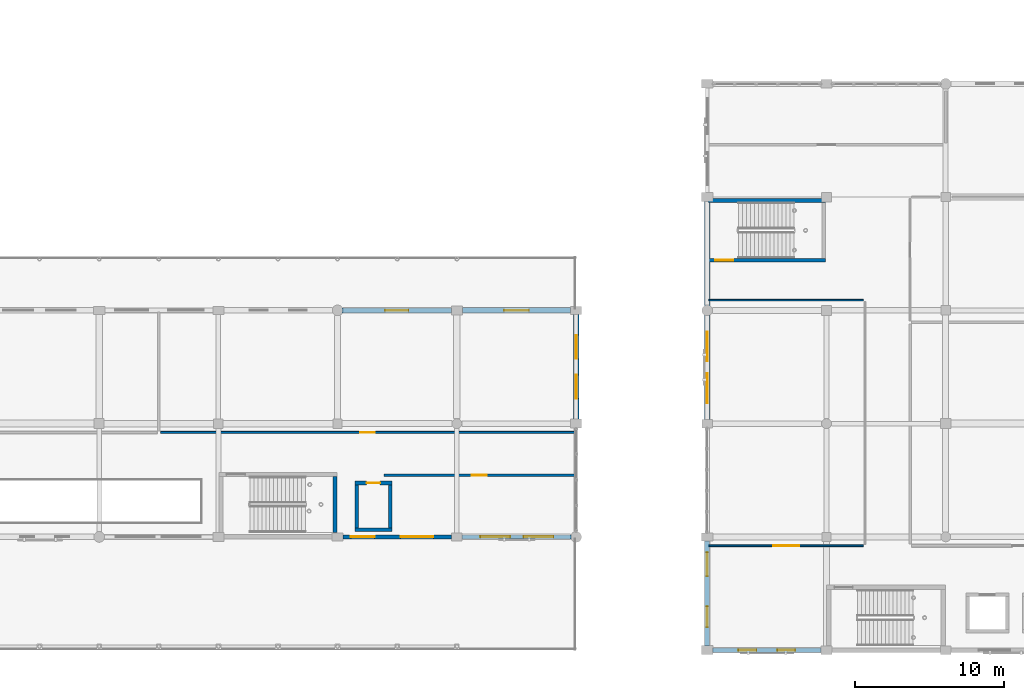
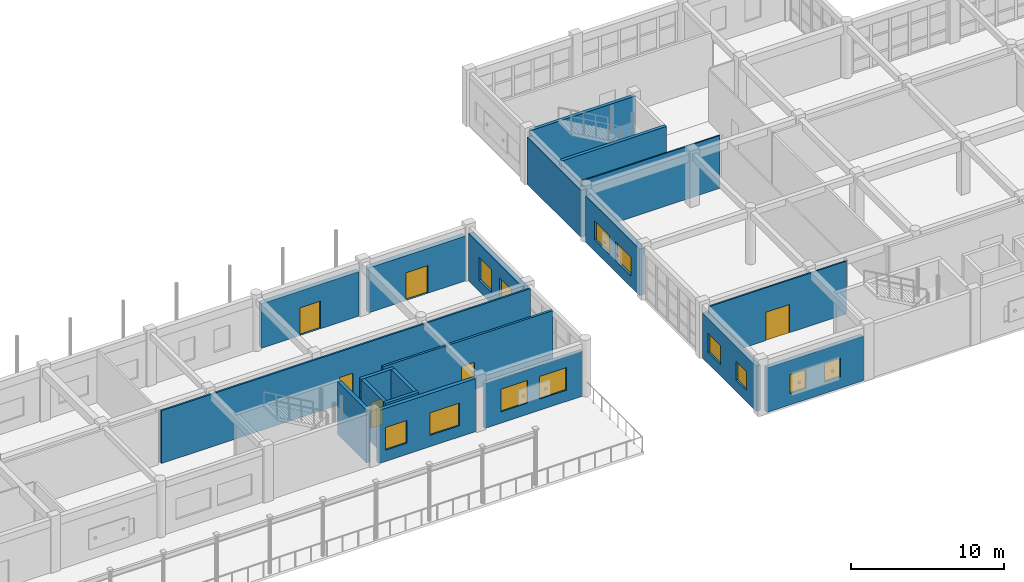
# One storey, part 128 of 160: 20 walls, 12 windows, 7 doors, 19 openings.
"""IFC4 building model written with IfcOpenShell, lengths in metres."""

from ifc_helpers import new_model, si_unit, direction, frame, frame_2d, origin, place, context, subcontext, project, spatial, rectangle, extrude, material, layer, layer_set, type_object, element, fill, save


model = new_model("IFC4")

# Units and contexts
model_context = context("Model", 3, precision=1e-05, world=origin(), true_north=direction((0.0, 1.0)))
body_context = subcontext(model_context, "Body", "Model", "MODEL_VIEW")
ifc_project = project(units=[si_unit("LENGTHUNIT", "METRE"), si_unit("AREAUNIT", "SQUARE_METRE"), si_unit("VOLUMEUNIT", "CUBIC_METRE"), si_unit("PLANEANGLEUNIT", "RADIAN"), si_unit("MASSUNIT", "GRAM", prefix="KILO")], contexts=[model_context])

# Site, building, storey
site_placement = place(None, origin())
site = spatial("IfcSite", under=ifc_project, at=site_placement, CompositionType="ELEMENT")
building_placement = place(site_placement, origin())
building = spatial("IfcBuilding", under=site, at=building_placement, Name="Kharva Crest Polytechnic", CompositionType="ELEMENT")
storey_placement = place(building_placement, frame((0.0, 0.0, 4.5)))
storey = spatial("IfcBuildingStorey", under=building, at=storey_placement, Name="L01", CompositionType="ELEMENT", Elevation=4.5)

# Wall, openings, windows
ifc_material_1 = material(Name="Kiln brick masonry", Category="masonry")
ifc_layer_1 = layer(ifc_material_1, 0.27490234375, Name="Kiln brick masonry")
ifc_layer_set_1 = layer_set([ifc_layer_1], Name="Kiln brick masonry")
wall_type_1 = type_object("IfcWallType", Name="WL-EXT-BRK-275", PredefinedType="SOLIDWALL", material=ifc_layer_set_1)
wall_1_placement = place(storey_placement, frame((104.35498046875, 7.60009765625, 0.0), z_axis=(0.0, 0.0, 1.0), x_axis=(1.0, 0.0, 0.0)))
wall_1 = element("IfcWall", 1, at=wall_1_placement, inside=storey, type_object=wall_type_1, Name="L01 Exterior Brick Wall 137", PredefinedType="SOLIDWALL", context=body_context, shape_type="SweptSolid", body=[
    extrude(rectangle(XDim=7.342529296875, YDim=0.27490234375, at=frame_2d((3.67138671875, 0.0))), origin(), (0.0, 0.0, 1.0), 3.570068359375),
])
opening_1_placement = place(wall_1_placement, frame((1.220947265625, 0.0, 0.89990234375)))
opening_1 = element("IfcOpeningElement", 2, at=opening_1_placement, cuts=wall_1, Name="Opening W04", PredefinedType="OPENING", context=body_context, shape_type="SweptSolid", body=[
    extrude(rectangle(XDim=2.0, YDim=1.800048828125, at=frame_2d((1.0, 0.89990234375))), frame((0.0, 0.1474609375, 0.0), z_axis=(0.0, -1.0, 0.0), x_axis=(1.0, 0.0, 0.0)), (0.0, 0.0, 1.0), 0.294921875),
])
opening_2_placement = place(wall_1_placement, frame((4.1220703125, 0.0, 0.89990234375)))
opening_2 = element("IfcOpeningElement", 3, at=opening_2_placement, cuts=wall_1, Name="Opening W04", PredefinedType="OPENING", context=body_context, shape_type="SweptSolid", body=[
    extrude(rectangle(XDim=2.0, YDim=1.800048828125, at=frame_2d((1.0, 0.89990234375))), frame((0.0, 0.1474609375, 0.0), z_axis=(0.0, -1.0, 0.0), x_axis=(1.0, 0.0, 0.0)), (0.0, 0.0, 1.0), 0.294921875),
])
ifc_material_2 = material(Name="Anodised aluminium", Category="aluminium")
window_type_1 = type_object("IfcWindowType", Name="WIN-ALU-2000X1800", PartitioningType="SINGLE_PANEL", PredefinedType="WINDOW", material=ifc_material_2)
window_1_placement = place(opening_1_placement, origin())
window_1 = element("IfcWindow", 4, at=window_1_placement, inside=storey, type_object=window_type_1, Name="L01 Exterior Window 170", OverallHeight=1.800048828125, OverallWidth=2.0, PartitioningType="SINGLE_PANEL", PredefinedType="WINDOW", context=body_context, shape_type="SweptSolid", body=[
    extrude(rectangle(XDim=2.0, YDim=1.800048828125, at=frame_2d((1.0, 0.89990234375))), frame((0.0, 0.030029296875, 0.0), z_axis=(0.0, -1.0, 0.0), x_axis=(1.0, 0.0, 0.0)), (0.0, 0.0, 1.0), 0.06005859375),
])
fill(opening_1, window_1)
window_2_placement = place(opening_2_placement, origin())
window_2 = element("IfcWindow", 5, at=window_2_placement, inside=storey, type_object=window_type_1, Name="L01 Exterior Window 171", OverallHeight=1.800048828125, OverallWidth=2.0, PartitioningType="SINGLE_PANEL", PredefinedType="WINDOW", context=body_context, shape_type="SweptSolid", body=[
    extrude(rectangle(XDim=2.0, YDim=1.800048828125, at=frame_2d((1.0, 0.89990234375))), frame((0.0, 0.030029296875, 0.0), z_axis=(0.0, -1.0, 0.0), x_axis=(1.0, 0.0, 0.0)), (0.0, 0.0, 1.0), 0.06005859375),
])
fill(opening_2, window_2)

ifc_layer_2 = layer(ifc_material_1, 0.2900390625, Name="Kiln brick masonry")
ifc_layer_set_2 = layer_set([ifc_layer_2], Name="Kiln brick masonry")
wall_type_2 = type_object("IfcWallType", Name="WL-EXT-BRK-290", PredefinedType="SOLIDWALL", material=ifc_layer_set_2)
wall_2_placement = place(storey_placement, frame((96.3701171875, 7.60009765625, 0.0), z_axis=(0.0, 0.0, 1.0), x_axis=(1.0, 0.0, 0.0)))
wall_2 = element("IfcWall", 6, at=wall_2_placement, inside=storey, type_object=wall_type_2, Name="L01 Exterior Brick Wall 136", PredefinedType="SOLIDWALL", context=body_context, shape_type="SweptSolid", body=[
    extrude(rectangle(XDim=7.27490234375, YDim=0.2900390625, at=frame_2d((3.637451171875, 0.0))), origin(), (0.0, 0.0, 1.0), 4.219970703125),
])
opening_3_placement = place(wall_2_placement, frame((0.514892578125, 0.0, 0.89990234375)))
opening_3 = element("IfcOpeningElement", 7, at=opening_3_placement, cuts=wall_2, Name="Opening W06", PredefinedType="OPENING", context=body_context, shape_type="SweptSolid", body=[
    extrude(rectangle(XDim=1.60009765625, YDim=1.800048828125, at=frame_2d((0.800048828125, 0.89990234375))), frame((0.0, 0.155029296875, 0.0), z_axis=(0.0, -1.0, 0.0), x_axis=(1.0, 0.0, 0.0)), (0.0, 0.0, 1.0), 0.31005859375),
])
opening_4_placement = place(wall_2_placement, frame((3.85205078125, 0.0, 0.89990234375)))
opening_4 = element("IfcOpeningElement", 8, at=opening_4_placement, cuts=wall_2, Name="Opening W03", PredefinedType="OPENING", context=body_context, shape_type="SweptSolid", body=[
    extrude(rectangle(XDim=2.199951171875, YDim=1.800048828125, at=frame_2d((1.10009765625, 0.89990234375))), frame((0.0, 0.155029296875, 0.0), z_axis=(0.0, -1.0, 0.0), x_axis=(1.0, 0.0, 0.0)), (0.0, 0.0, 1.0), 0.31005859375),
])
window_type_2 = type_object("IfcWindowType", Name="WIN-ALU-1600X1800", PartitioningType="SINGLE_PANEL", PredefinedType="WINDOW", material=ifc_material_2)
window_3_placement = place(opening_3_placement, origin())
window_3 = element("IfcWindow", 9, at=window_3_placement, inside=storey, type_object=window_type_2, Name="L01 Exterior Window 168", OverallHeight=1.800048828125, OverallWidth=1.60009765625, PartitioningType="SINGLE_PANEL", PredefinedType="WINDOW", context=body_context, shape_type="SweptSolid", body=[
    extrude(rectangle(XDim=1.60009765625, YDim=1.800048828125, at=frame_2d((0.800048828125, 0.89990234375))), frame((0.0, 0.030029296875, 0.0), z_axis=(0.0, -1.0, 0.0), x_axis=(1.0, 0.0, 0.0)), (0.0, 0.0, 1.0), 0.06005859375),
])
fill(opening_3, window_3)
window_type_3 = type_object("IfcWindowType", Name="WIN-ALU-2200X1800", PartitioningType="SINGLE_PANEL", PredefinedType="WINDOW", material=ifc_material_2)
window_4_placement = place(opening_4_placement, origin())
window_4 = element("IfcWindow", 10, at=window_4_placement, inside=storey, type_object=window_type_3, Name="L01 Exterior Window 169", OverallHeight=1.800048828125, OverallWidth=2.199951171875, PartitioningType="SINGLE_PANEL", PredefinedType="WINDOW", context=body_context, shape_type="SweptSolid", body=[
    extrude(rectangle(XDim=2.199951171875, YDim=1.800048828125, at=frame_2d((1.10009765625, 0.89990234375))), frame((0.0, 0.030029296875, 0.0), z_axis=(0.0, -1.0, 0.0), x_axis=(1.0, 0.0, 0.0)), (0.0, 0.0, 1.0), 0.06005859375),
])
fill(opening_4, window_4)

ifc_layer_3 = layer(ifc_material_1, 0.320068359375, Name="Kiln brick masonry")
ifc_layer_set_3 = layer_set([ifc_layer_3], Name="Kiln brick masonry")
wall_type_3 = type_object("IfcWallType", Name="WL-EXT-BRK-320", PredefinedType="SOLIDWALL", material=ifc_layer_set_3)
wall_3_placement = place(storey_placement, frame((121.169921875, 0.0, 0.0), z_axis=(0.0, 0.0, 1.0), x_axis=(1.0, 0.0, 0.0)))
wall_3 = element("IfcWall", 11, at=wall_3_placement, inside=storey, type_object=wall_type_3, Name="L01 Exterior Brick Wall 159", PredefinedType="SOLIDWALL", context=body_context, shape_type="SweptSolid", body=[
    extrude(rectangle(XDim=7.260009765625, YDim=0.320068359375, at=frame_2d((3.6298828125, 0.0))), origin(), (0.0, 0.0, 1.0), 3.5400390625),
])
opening_5_placement = place(wall_3_placement, frame((1.72705078125, 0.0, 0.89990234375)))
opening_5 = element("IfcOpeningElement", 12, at=opening_5_placement, cuts=wall_3, Name="Opening W16", PredefinedType="OPENING", context=body_context, shape_type="SweptSolid", body=[
    extrude(rectangle(XDim=1.199951171875, YDim=1.5, at=frame_2d((0.60009765625, 0.75))), frame((0.0, 0.169921875, 0.0), z_axis=(0.0, -1.0, 0.0), x_axis=(1.0, 0.0, 0.0)), (0.0, 0.0, 1.0), 0.340087890625),
])
opening_6_placement = place(wall_3_placement, frame((4.3330078125, 0.0, 0.89990234375)))
opening_6 = element("IfcOpeningElement", 13, at=opening_6_placement, cuts=wall_3, Name="Opening W16", PredefinedType="OPENING", context=body_context, shape_type="SweptSolid", body=[
    extrude(rectangle(XDim=1.199951171875, YDim=1.5, at=frame_2d((0.60009765625, 0.75))), frame((0.0, 0.169921875, 0.0), z_axis=(0.0, -1.0, 0.0), x_axis=(1.0, 0.0, 0.0)), (0.0, 0.0, 1.0), 0.340087890625),
])
window_type_4 = type_object("IfcWindowType", Name="WIN-ALU-1200X1500", PartitioningType="SINGLE_PANEL", PredefinedType="WINDOW", material=ifc_material_2)
window_5_placement = place(opening_5_placement, origin())
window_5 = element("IfcWindow", 14, at=window_5_placement, inside=storey, type_object=window_type_4, Name="L01 Exterior Window 206", OverallHeight=1.5, OverallWidth=1.199951171875, PartitioningType="SINGLE_PANEL", PredefinedType="WINDOW", context=body_context, shape_type="SweptSolid", body=[
    extrude(rectangle(XDim=1.199951171875, YDim=1.5, at=frame_2d((0.60009765625, 0.75))), frame((0.0, 0.030029296875, 0.0), z_axis=(0.0, -1.0, 0.0), x_axis=(1.0, 0.0, 0.0)), (0.0, 0.0, 1.0), 0.06005859375),
])
fill(opening_5, window_5)
window_6_placement = place(opening_6_placement, origin())
window_6 = element("IfcWindow", 15, at=window_6_placement, inside=storey, type_object=window_type_4, Name="L01 Exterior Window 207", OverallHeight=1.5, OverallWidth=1.199951171875, PartitioningType="SINGLE_PANEL", PredefinedType="WINDOW", context=body_context, shape_type="SweptSolid", body=[
    extrude(rectangle(XDim=1.199951171875, YDim=1.5, at=frame_2d((0.60009765625, 0.75))), frame((0.0, 0.030029296875, 0.0), z_axis=(0.0, -1.0, 0.0), x_axis=(1.0, 0.0, 0.0)), (0.0, 0.0, 1.0), 0.06005859375),
])
fill(opening_6, window_6)

ifc_layer_4 = layer(ifc_material_1, 0.3349609375, Name="Kiln brick masonry")
ifc_layer_set_4 = layer_set([ifc_layer_4], Name="Kiln brick masonry")
wall_type_4 = type_object("IfcWallType", Name="WL-EXT-BRK-335", PredefinedType="SOLIDWALL", material=ifc_layer_set_4)
wall_4_placement = place(storey_placement, frame((120.800048828125, 7.330078125, 0.0), z_axis=(0.0, 0.0, 1.0), x_axis=(0.0, -1.0, 0.0)))
wall_4 = element("IfcWall", 16, at=wall_4_placement, inside=storey, type_object=wall_type_4, Name="L01 Exterior Brick Wall 158", PredefinedType="SOLIDWALL", context=body_context, shape_type="SweptSolid", body=[
    extrude(rectangle(XDim=7.03515625, YDim=0.3349609375, at=frame_2d((3.517578125, 0.0))), origin(), (0.0, 0.0, 1.0), 3.60009765625),
])
opening_7_placement = place(wall_4_placement, frame((0.764892578125, 0.0, 0.89990234375)))
opening_7 = element("IfcOpeningElement", 17, at=opening_7_placement, cuts=wall_4, Name="Opening W14", PredefinedType="OPENING", context=body_context, shape_type="SweptSolid", body=[
    extrude(rectangle(XDim=1.60009765625, YDim=1.5, at=frame_2d((0.800048828125, 0.75))), frame((0.0, 0.177490234375, 0.0), z_axis=(0.0, -1.0, 0.0), x_axis=(1.0, 0.0, 0.0)), (0.0, 0.0, 1.0), 0.35498046875),
])
opening_8_placement = place(wall_4_placement, frame((4.383056640625, 0.0, 0.89990234375)))
opening_8 = element("IfcOpeningElement", 18, at=opening_8_placement, cuts=wall_4, Name="Opening W15", PredefinedType="OPENING", context=body_context, shape_type="SweptSolid", body=[
    extrude(rectangle(XDim=1.39990234375, YDim=1.5, at=frame_2d((0.699951171875, 0.75))), frame((0.0, 0.177490234375, 0.0), z_axis=(0.0, -1.0, 0.0), x_axis=(1.0, 0.0, 0.0)), (0.0, 0.0, 1.0), 0.35498046875),
])
window_type_5 = type_object("IfcWindowType", Name="WIN-ALU-1400X1500", PartitioningType="SINGLE_PANEL", PredefinedType="WINDOW", material=ifc_material_2)
window_7_placement = place(opening_8_placement, origin())
window_7 = element("IfcWindow", 19, at=window_7_placement, inside=storey, type_object=window_type_5, Name="L01 Exterior Window 205", OverallHeight=1.5, OverallWidth=1.39990234375, PartitioningType="SINGLE_PANEL", PredefinedType="WINDOW", context=body_context, shape_type="SweptSolid", body=[
    extrude(rectangle(XDim=1.39990234375, YDim=1.5, at=frame_2d((0.699951171875, 0.75))), frame((0.0, 0.030029296875, 0.0), z_axis=(0.0, -1.0, 0.0), x_axis=(1.0, 0.0, 0.0)), (0.0, 0.0, 1.0), 0.06005859375),
])
fill(opening_8, window_7)
window_type_6 = type_object("IfcWindowType", Name="WIN-ALU-1600X1500", PartitioningType="SINGLE_PANEL", PredefinedType="WINDOW", material=ifc_material_2)
window_8_placement = place(opening_7_placement, origin())
window_8 = element("IfcWindow", 20, at=window_8_placement, inside=storey, type_object=window_type_6, Name="L01 Exterior Window 204", OverallHeight=1.5, OverallWidth=1.60009765625, PartitioningType="SINGLE_PANEL", PredefinedType="WINDOW", context=body_context, shape_type="SweptSolid", body=[
    extrude(rectangle(XDim=1.60009765625, YDim=1.5, at=frame_2d((0.800048828125, 0.75))), frame((0.0, 0.030029296875, 0.0), z_axis=(0.0, -1.0, 0.0), x_axis=(1.0, 0.0, 0.0)), (0.0, 0.0, 1.0), 0.06005859375),
])
fill(opening_7, window_8)

# Wall, opening, door
ifc_layer_5 = layer(ifc_material_1, 0.35009765625, Name="Kiln brick masonry")
ifc_layer_set_5 = layer_set([ifc_layer_5], Name="Kiln brick masonry")
wall_type_5 = type_object("IfcWallType", Name="WL-EXT-BRK-350", PredefinedType="SOLIDWALL", material=ifc_layer_set_5)
wall_5_placement = place(storey_placement, frame((103.6298828125, 22.800048828125, 0.0), z_axis=(0.0, 0.0, 1.0), x_axis=(-1.0, 0.0, 0.0)))
wall_5 = element("IfcWall", 21, at=wall_5_placement, inside=storey, type_object=wall_type_5, Name="L01 Exterior Brick Wall 140", PredefinedType="SOLIDWALL", context=body_context, shape_type="SweptSolid", body=[
    extrude(rectangle(XDim=7.327392578125, YDim=0.35009765625, at=frame_2d((3.66357421875, 0.0))), origin(), (0.0, 0.0, 1.0), 3.5400390625),
])
opening_9_placement = place(wall_5_placement, frame((2.888916015625, 0.0, 0.0)))
opening_9 = element("IfcOpeningElement", 22, at=opening_9_placement, cuts=wall_5, Name="Opening ED8", PredefinedType="OPENING", context=body_context, shape_type="SweptSolid", body=[
    extrude(rectangle(XDim=1.550048828125, YDim=2.199951171875, at=frame_2d((0.77490234375, 1.10009765625))), frame((0.0, 0.18505859375, 0.0), z_axis=(0.0, -1.0, 0.0), x_axis=(1.0, 0.0, 0.0)), (0.0, 0.0, 1.0), 0.3701171875),
])
door_type_1 = type_object("IfcDoorType", Name="DR-EXT-TER-1550X2200", OperationType="NOTDEFINED", PredefinedType="DOOR", material=ifc_material_2)
door_1_placement = place(opening_9_placement, frame((1.550048828125, 0.0, 0.0), z_axis=(0.0, 0.0, 1.0), x_axis=(-1.0, 0.0, 0.0)))
door_1 = element("IfcDoor", 23, at=door_1_placement, inside=storey, type_object=door_type_1, Name="L01 VER_S_L01 Access Door 33", OperationType="DOUBLE_DOOR_SINGLE_SWING", OverallHeight=2.199951171875, OverallWidth=1.550048828125, PredefinedType="DOOR", context=body_context, shape_type="SweptSolid", body=[
    extrude(rectangle(XDim=1.550048828125, YDim=2.199951171875, at=frame_2d((0.77490234375, 1.10009765625))), frame((0.0, 0.02490234375, 0.0), z_axis=(0.0, -1.0, 0.0), x_axis=(1.0, 0.0, 0.0)), (0.0, 0.0, 1.0), 0.050048828125),
])
fill(opening_9, door_1)

ifc_layer_6 = layer(ifc_material_1, 0.364990234375, Name="Kiln brick masonry")
ifc_layer_set_6 = layer_set([ifc_layer_6], Name="Kiln brick masonry")
wall_type_6 = type_object("IfcWallType", Name="WL-EXT-BRK-365", PredefinedType="SOLIDWALL", material=ifc_layer_set_6)
wall_6_placement = place(storey_placement, frame((111.6298828125, 22.800048828125, 0.0), z_axis=(0.0, 0.0, 1.0), x_axis=(-1.0, 0.0, 0.0)))
wall_6 = element("IfcWall", 24, at=wall_6_placement, inside=storey, type_object=wall_type_6, Name="L01 Exterior Brick Wall 139", PredefinedType="SOLIDWALL", context=body_context, shape_type="SweptSolid", body=[
    extrude(rectangle(XDim=7.259765625, YDim=0.364990234375, at=frame_2d((3.6298828125, 0.0))), origin(), (0.0, 0.0, 1.0), 3.570068359375),
])
opening_10_placement = place(wall_6_placement, frame((2.804931640625, 0.0, 0.0)))
opening_10 = element("IfcOpeningElement", 25, at=opening_10_placement, cuts=wall_6, Name="Opening ED7", PredefinedType="OPENING", context=body_context, shape_type="SweptSolid", body=[
    extrude(rectangle(XDim=1.64990234375, YDim=2.199951171875, at=frame_2d((0.824951171875, 1.10009765625))), frame((0.0, 0.1923828125, 0.0), z_axis=(0.0, -1.0, 0.0), x_axis=(1.0, 0.0, 0.0)), (0.0, 0.0, 1.0), 0.385009765625),
])
door_type_2 = type_object("IfcDoorType", Name="DR-EXT-TER-1650X2200", OperationType="NOTDEFINED", PredefinedType="DOOR", material=ifc_material_2)
door_2_placement = place(opening_10_placement, frame((1.64990234375, 0.0, 0.0), z_axis=(0.0, 0.0, 1.0), x_axis=(-1.0, 0.0, 0.0)))
door_2 = element("IfcDoor", 26, at=door_2_placement, inside=storey, type_object=door_type_2, Name="L01 VER_S_L01 Access Door 32", OperationType="DOUBLE_DOOR_SINGLE_SWING", OverallHeight=2.199951171875, OverallWidth=1.64990234375, PredefinedType="DOOR", context=body_context, shape_type="SweptSolid", body=[
    extrude(rectangle(XDim=1.64990234375, YDim=2.199951171875, at=frame_2d((0.824951171875, 1.10009765625))), frame((0.0, 0.02490234375, 0.0), z_axis=(0.0, -1.0, 0.0), x_axis=(1.0, 0.0, 0.0)), (0.0, 0.0, 1.0), 0.050048828125),
])
fill(opening_10, door_2)

# Wall, openings, windows
wall_7_placement = place(storey_placement, frame((120.800048828125, 22.49755859375, 0.0), z_axis=(0.0, 0.0, 1.0), x_axis=(0.0, -1.0, 0.0)))
wall_7 = element("IfcWall", 27, at=wall_7_placement, inside=storey, type_object=wall_type_6, Name="L01 Exterior Brick Wall 157", PredefinedType="SOLIDWALL", context=body_context, shape_type="SweptSolid", body=[
    extrude(rectangle(XDim=7.027587890625, YDim=0.364990234375, at=frame_2d((3.513671875, 0.0))), origin(), (0.0, 0.0, 1.0), 3.699951171875),
])
opening_11_placement = place(wall_7_placement, frame((1.115966796875, 0.0, 0.89990234375)))
opening_11 = element("IfcOpeningElement", 28, at=opening_11_placement, cuts=wall_7, Name="Opening W12", PredefinedType="OPENING", context=body_context, shape_type="SweptSolid", body=[
    extrude(rectangle(XDim=2.0, YDim=1.5, at=frame_2d((1.0, 0.75))), frame((0.0, 0.1923828125, 0.0), z_axis=(0.0, -1.0, 0.0), x_axis=(1.0, 0.0, 0.0)), (0.0, 0.0, 1.0), 0.385009765625),
])
opening_12_placement = place(wall_7_placement, frame((3.912109375, 0.0, 0.89990234375)))
opening_12 = element("IfcOpeningElement", 29, at=opening_12_placement, cuts=wall_7, Name="Opening W12", PredefinedType="OPENING", context=body_context, shape_type="SweptSolid", body=[
    extrude(rectangle(XDim=2.0, YDim=1.5, at=frame_2d((1.0, 0.75))), frame((0.0, 0.1923828125, 0.0), z_axis=(0.0, -1.0, 0.0), x_axis=(1.0, 0.0, 0.0)), (0.0, 0.0, 1.0), 0.385009765625),
])
window_type_7 = type_object("IfcWindowType", Name="WIN-ALU-2000X1500", PartitioningType="SINGLE_PANEL", PredefinedType="WINDOW", material=ifc_material_2)
window_9_placement = place(opening_11_placement, origin())
window_9 = element("IfcWindow", 30, at=window_9_placement, inside=storey, type_object=window_type_7, Name="L01 Exterior Window 202", OverallHeight=1.5, OverallWidth=2.0, PartitioningType="SINGLE_PANEL", PredefinedType="WINDOW", context=body_context, shape_type="SweptSolid", body=[
    extrude(rectangle(XDim=2.0, YDim=1.5, at=frame_2d((1.0, 0.75))), frame((0.0, 0.030029296875, 0.0), z_axis=(0.0, -1.0, 0.0), x_axis=(1.0, 0.0, 0.0)), (0.0, 0.0, 1.0), 0.06005859375),
])
fill(opening_11, window_9)
window_10_placement = place(opening_12_placement, origin())
window_10 = element("IfcWindow", 31, at=window_10_placement, inside=storey, type_object=window_type_7, Name="L01 Exterior Window 203", OverallHeight=1.5, OverallWidth=2.0, PartitioningType="SINGLE_PANEL", PredefinedType="WINDOW", context=body_context, shape_type="SweptSolid", body=[
    extrude(rectangle(XDim=2.0, YDim=1.5, at=frame_2d((1.0, 0.75))), frame((0.0, 0.030029296875, 0.0), z_axis=(0.0, -1.0, 0.0), x_axis=(1.0, 0.0, 0.0)), (0.0, 0.0, 1.0), 0.06005859375),
])
fill(opening_12, window_10)

ifc_layer_7 = layer(ifc_material_1, 0.3798828125, Name="Kiln brick masonry")
ifc_layer_set_7 = layer_set([ifc_layer_7], Name="Kiln brick masonry")
wall_type_7 = type_object("IfcWallType", Name="WL-EXT-BRK-380", PredefinedType="SOLIDWALL", material=ifc_layer_set_7)
wall_8_placement = place(storey_placement, frame((112.0, 15.4951171875, 0.0), z_axis=(0.0, 0.0, 1.0), x_axis=(0.0, 1.0, 0.0)))
wall_8 = element("IfcWall", 32, at=wall_8_placement, inside=storey, type_object=wall_type_7, Name="L01 Exterior Brick Wall 138", PredefinedType="SOLIDWALL", context=body_context, shape_type="SweptSolid", body=[
    extrude(rectangle(XDim=7.034912109375, YDim=0.3798828125, at=frame_2d((3.517578125, 0.0))), origin(), (0.0, 0.0, 1.0), 3.780029296875),
])
opening_13_placement = place(wall_8_placement, frame((1.385009765625, 0.0, 0.89990234375)))
opening_13 = element("IfcOpeningElement", 33, at=opening_13_placement, cuts=wall_8, Name="Opening W06", PredefinedType="OPENING", context=body_context, shape_type="SweptSolid", body=[
    extrude(rectangle(XDim=1.60009765625, YDim=1.800048828125, at=frame_2d((0.800048828125, 0.89990234375))), frame((0.0, 0.199951171875, 0.0), z_axis=(0.0, -1.0, 0.0), x_axis=(1.0, 0.0, 0.0)), (0.0, 0.0, 1.0), 0.39990234375),
])
opening_14_placement = place(wall_8_placement, frame((4.050048828125, 0.0, 0.89990234375)))
opening_14 = element("IfcOpeningElement", 34, at=opening_14_placement, cuts=wall_8, Name="Opening W06", PredefinedType="OPENING", context=body_context, shape_type="SweptSolid", body=[
    extrude(rectangle(XDim=1.60009765625, YDim=1.800048828125, at=frame_2d((0.800048828125, 0.89990234375))), frame((0.0, 0.199951171875, 0.0), z_axis=(0.0, -1.0, 0.0), x_axis=(1.0, 0.0, 0.0)), (0.0, 0.0, 1.0), 0.39990234375),
])
window_11_placement = place(opening_13_placement, origin())
window_11 = element("IfcWindow", 35, at=window_11_placement, inside=storey, type_object=window_type_2, Name="L01 Exterior Window 172", OverallHeight=1.800048828125, OverallWidth=1.60009765625, PartitioningType="SINGLE_PANEL", PredefinedType="WINDOW", context=body_context, shape_type="SweptSolid", body=[
    extrude(rectangle(XDim=1.60009765625, YDim=1.800048828125, at=frame_2d((0.800048828125, 0.89990234375))), frame((0.0, 0.030029296875, 0.0), z_axis=(0.0, -1.0, 0.0), x_axis=(1.0, 0.0, 0.0)), (0.0, 0.0, 1.0), 0.06005859375),
])
fill(opening_13, window_11)
window_12_placement = place(opening_14_placement, origin())
window_12 = element("IfcWindow", 36, at=window_12_placement, inside=storey, type_object=window_type_2, Name="L01 Exterior Window 173", OverallHeight=1.800048828125, OverallWidth=1.60009765625, PartitioningType="SINGLE_PANEL", PredefinedType="WINDOW", context=body_context, shape_type="SweptSolid", body=[
    extrude(rectangle(XDim=1.60009765625, YDim=1.800048828125, at=frame_2d((0.800048828125, 0.89990234375))), frame((0.0, 0.030029296875, 0.0), z_axis=(0.0, -1.0, 0.0), x_axis=(1.0, 0.0, 0.0)), (0.0, 0.0, 1.0), 0.06005859375),
])
fill(opening_14, window_12)

# Walls
wall_9_placement = place(storey_placement, frame((120.800048828125, 30.10498046875, 0.0), z_axis=(0.0, 0.0, 1.0), x_axis=(0.0, -1.0, 0.0)))
element("IfcWall", 37, at=wall_9_placement, inside=storey, type_object=wall_type_7, Name="L01 Exterior Brick Wall 156", PredefinedType="SOLIDWALL", context=body_context, shape_type="SweptSolid", body=[
    extrude(rectangle(XDim=7.002685546875, YDim=0.3798828125, at=frame_2d((3.50146484375, 0.0))), origin(), (0.0, 0.0, 1.0), 3.760009765625),
])
ifc_layer_8 = layer(ifc_material_1, 0.10009765625, Name="Kiln brick masonry")
ifc_layer_set_8 = layer_set([ifc_layer_8], Name="Kiln brick masonry")
wall_type_8 = type_object("IfcWallType", Name="WL-PART-100", PredefinedType="PARTITIONING", material=ifc_layer_set_8)
wall_10_placement = place(storey_placement, frame((120.909912109375, 23.489990234375, 0.0), z_axis=(0.0, 0.0, 1.0), x_axis=(1.0, 0.0, 0.0)))
element("IfcWall", 38, at=wall_10_placement, inside=storey, type_object=wall_type_8, Name="L01 Interior Partition 158", PredefinedType="PARTITIONING", context=body_context, shape_type="SweptSolid", body=[
    extrude(rectangle(XDim=10.3701171875, YDim=0.10009765625, at=frame_2d((5.18505859375, 0.0))), origin(), (0.0, 0.0, 1.0), 4.199951171875),
])

# Wall, opening, door
ifc_layer_9 = layer(ifc_material_1, 0.110107421875, Name="Kiln brick masonry")
ifc_layer_set_9 = layer_set([ifc_layer_9], Name="Kiln brick masonry")
wall_type_9 = type_object("IfcWallType", Name="WL-PART-110", PredefinedType="PARTITIONING", material=ifc_layer_set_9)
wall_11_placement = place(storey_placement, frame((120.909912109375, 7.010009765625, 0.0), z_axis=(0.0, 0.0, 1.0), x_axis=(1.0, 0.0, 0.0)))
wall_11 = element("IfcWall", 39, at=wall_11_placement, inside=storey, type_object=wall_type_9, Name="L01 Interior Partition 157", PredefinedType="PARTITIONING", context=body_context, shape_type="SweptSolid", body=[
    extrude(rectangle(XDim=10.3701171875, YDim=0.110107421875, at=frame_2d((5.18505859375, 0.0))), origin(), (0.0, 0.0, 1.0), 4.199951171875),
])
opening_15_placement = place(wall_11_placement, frame((4.31005859375, 0.0, 0.0)))
opening_15 = element("IfcOpeningElement", 40, at=opening_15_placement, cuts=wall_11, Name="Opening ID5", PredefinedType="OPENING", context=body_context, shape_type="SweptSolid", body=[
    extrude(rectangle(XDim=1.75, YDim=2.25, at=frame_2d((0.875, 1.125))), frame((0.0, 0.06494140625, 0.0), z_axis=(0.0, -1.0, 0.0), x_axis=(1.0, 0.0, 0.0)), (0.0, 0.0, 1.0), 0.130126953125),
])
ifc_material_3 = material(Name="Teak timber", Category="wood")
door_type_3 = type_object("IfcDoorType", Name="DR-LIB-DBL-1750X2250", OperationType="NOTDEFINED", PredefinedType="DOOR", material=ifc_material_3)
door_3_placement = place(opening_15_placement, origin())
door_3 = element("IfcDoor", 41, at=door_3_placement, inside=storey, type_object=door_type_3, Name="L01 Student Union Commons Hall Door", OperationType="DOUBLE_DOOR_SINGLE_SWING", OverallHeight=2.25, OverallWidth=1.75, PredefinedType="DOOR", context=body_context, shape_type="SweptSolid", body=[
    extrude(rectangle(XDim=1.75, YDim=2.25, at=frame_2d((0.875, 1.125))), frame((0.0, 0.02490234375, 0.0), z_axis=(0.0, -1.0, 0.0), x_axis=(1.0, 0.0, 0.0)), (0.0, 0.0, 1.0), 0.050048828125),
])
fill(opening_15, door_3)

ifc_layer_10 = layer(ifc_material_1, 0.1298828125, Name="Kiln brick masonry")
ifc_layer_set_10 = layer_set([ifc_layer_10], Name="Kiln brick masonry")
wall_type_10 = type_object("IfcWallType", Name="WL-PART-130", PredefinedType="PARTITIONING", material=ifc_layer_set_10)
wall_12_placement = place(storey_placement, frame((84.1201171875, 14.610107421875, 0.0), z_axis=(0.0, 0.0, 1.0), x_axis=(1.0, 0.0, 0.0)))
wall_12 = element("IfcWall", 42, at=wall_12_placement, inside=storey, type_object=wall_type_10, Name="L01 Interior Partition 155", PredefinedType="PARTITIONING", context=body_context, shape_type="SweptSolid", body=[
    extrude(rectangle(XDim=27.769775390625, YDim=0.1298828125, at=frame_2d((13.884765625, 0.0))), origin(), (0.0, 0.0, 1.0), 4.199951171875),
])
opening_16_placement = place(wall_12_placement, frame((13.385009765625, 0.0, 0.0)))
opening_16 = element("IfcOpeningElement", 43, at=opening_16_placement, cuts=wall_12, Name="Opening ID12", PredefinedType="OPENING", context=body_context, shape_type="SweptSolid", body=[
    extrude(rectangle(XDim=1.0, YDim=2.14990234375, at=frame_2d((0.5, 1.074951171875))), frame((0.0, 0.074951171875, 0.0), z_axis=(0.0, -1.0, 0.0), x_axis=(1.0, 0.0, 0.0)), (0.0, 0.0, 1.0), 0.14990234375),
])
door_type_4 = type_object("IfcDoorType", Name="DR-OFF-1000X2150", OperationType="NOTDEFINED", PredefinedType="DOOR", material=ifc_material_3)
door_4_placement = place(opening_16_placement, origin())
door_4 = element("IfcDoor", 44, at=door_4_placement, inside=storey, type_object=door_type_4, Name="L01 Faculty Boardroom Office L01 Door", OperationType="SINGLE_SWING_RIGHT", OverallHeight=2.14990234375, OverallWidth=1.0, PredefinedType="DOOR", context=body_context, shape_type="SweptSolid", body=[
    extrude(rectangle(XDim=1.0, YDim=2.14990234375, at=frame_2d((0.5, 1.074951171875))), frame((0.0, 0.02490234375, 0.0), z_axis=(0.0, -1.0, 0.0), x_axis=(1.0, 0.0, 0.0)), (0.0, 0.0, 1.0), 0.050048828125),
])
fill(opening_16, door_4)

ifc_layer_11 = layer(ifc_material_1, 0.169921875, Name="Kiln brick masonry")
ifc_layer_set_11 = layer_set([ifc_layer_11], Name="Kiln brick masonry")
wall_type_11 = type_object("IfcWallType", Name="WL-PART-170", PredefinedType="PARTITIONING", material=ifc_layer_set_11)
wall_13_placement = place(storey_placement, frame((99.110107421875, 11.739990234375, 0.0), z_axis=(0.0, 0.0, 1.0), x_axis=(1.0, 0.0, 0.0)))
wall_13 = element("IfcWall", 45, at=wall_13_placement, inside=storey, type_object=wall_type_11, Name="L01 Interior Partition 151", PredefinedType="PARTITIONING", context=body_context, shape_type="SweptSolid", body=[
    extrude(rectangle(XDim=12.77978515625, YDim=0.169921875, at=frame_2d((6.389892578125, 0.0))), origin(), (0.0, 0.0, 1.0), 4.199951171875),
])
opening_17_placement = place(wall_13_placement, frame((5.889892578125, 0.0, 0.0)))
opening_17 = element("IfcOpeningElement", 46, at=opening_17_placement, cuts=wall_13, Name="Opening ID12", PredefinedType="OPENING", context=body_context, shape_type="SweptSolid", body=[
    extrude(rectangle(XDim=1.0, YDim=2.14990234375, at=frame_2d((0.5, 1.074951171875))), frame((0.0, 0.094970703125, 0.0), z_axis=(0.0, -1.0, 0.0), x_axis=(1.0, 0.0, 0.0)), (0.0, 0.0, 1.0), 0.18994140625),
])
door_5_placement = place(opening_17_placement, origin())
door_5 = element("IfcDoor", 47, at=door_5_placement, inside=storey, type_object=door_type_4, Name="L01 Faculty Office L01-E Door", OperationType="SINGLE_SWING_RIGHT", OverallHeight=2.14990234375, OverallWidth=1.0, PredefinedType="DOOR", context=body_context, shape_type="SweptSolid", body=[
    extrude(rectangle(XDim=1.0, YDim=2.14990234375, at=frame_2d((0.5, 1.074951171875))), frame((0.0, 0.02490234375, 0.0), z_axis=(0.0, -1.0, 0.0), x_axis=(1.0, 0.0, 0.0)), (0.0, 0.0, 1.0), 0.050048828125),
])
fill(opening_17, door_5)

ifc_material_4 = material(Name="Concrete C40/50", Category="concrete")
ifc_layer_12 = layer(ifc_material_4, 0.25, Name="Concrete C40/50")
ifc_layer_set_12 = layer_set([ifc_layer_12], Name="Concrete C40/50")
wall_type_12 = type_object("IfcWallType", Name="WL-SHEAR-SW1-250", PredefinedType="SHEAR", material=ifc_layer_set_12)
wall_14_placement = place(storey_placement, frame((120.85009765625, 26.1650390625, 0.0), z_axis=(0.0, 0.0, 1.0), x_axis=(1.0, 0.0, 0.0)))
wall_14 = element("IfcWall", 48, at=wall_14_placement, inside=storey, type_object=wall_type_12, Name="L01 South-East Escarpment Secondary Stair C7 South Shear Wall", PredefinedType="SHEAR", context=body_context, shape_type="SweptSolid", body=[
    extrude(rectangle(XDim=7.89990234375, YDim=0.25, at=frame_2d((3.949951171875, 0.0))), origin(), (0.0, 0.0, 1.0), 4.219970703125),
])
opening_18_placement = place(wall_14_placement, frame((0.5, 0.0, 0.0)))
opening_18 = element("IfcOpeningElement", 49, at=opening_18_placement, cuts=wall_14, Name="Opening FD1", PredefinedType="OPENING", context=body_context, shape_type="SweptSolid", body=[
    extrude(rectangle(XDim=1.199951171875, YDim=2.199951171875, at=frame_2d((0.60009765625, 1.10009765625))), frame((0.0, 0.135009765625, 0.0), z_axis=(0.0, -1.0, 0.0), x_axis=(1.0, 0.0, 0.0)), (0.0, 0.0, 1.0), 0.27001953125),
])
door_type_5 = type_object("IfcDoorType", Name="DR-STAIR-1200X2200", OperationType="NOTDEFINED", PredefinedType="DOOR", material=ifc_material_3)
door_6_placement = place(opening_18_placement, origin())
door_6 = element("IfcDoor", 50, at=door_6_placement, inside=storey, type_object=door_type_5, Name="L01 ST-07 Stair Door", OperationType="SINGLE_SWING_LEFT", OverallHeight=2.199951171875, OverallWidth=1.199951171875, PredefinedType="DOOR", context=body_context, shape_type="SweptSolid", body=[
    extrude(rectangle(XDim=1.199951171875, YDim=2.199951171875, at=frame_2d((0.60009765625, 1.10009765625))), frame((0.0, 0.02490234375, 0.0), z_axis=(0.0, -1.0, 0.0), x_axis=(1.0, 0.0, 0.0)), (0.0, 0.0, 1.0), 0.050048828125),
])
fill(opening_18, door_6)

# Walls
wall_15_placement = place(storey_placement, frame((120.85009765625, 30.175048828125, 0.0), z_axis=(0.0, 0.0, 1.0), x_axis=(1.0, 0.0, 0.0)))
element("IfcWall", 51, at=wall_15_placement, inside=storey, type_object=wall_type_12, Name="L01 South-East Escarpment Secondary Stair C7 North Shear Wall", PredefinedType="SHEAR", context=body_context, shape_type="SweptSolid", body=[
    extrude(rectangle(XDim=7.89990234375, YDim=0.25, at=frame_2d((3.949951171875, 0.0))), origin(), (0.0, 0.0, 1.0), 4.219970703125),
])
wall_16_placement = place(storey_placement, frame((95.824951171875, 7.89990234375, 0.0), z_axis=(0.0, 0.0, 1.0), x_axis=(0.0, 1.0, 0.0)))
element("IfcWall", 52, at=wall_16_placement, inside=storey, type_object=wall_type_12, Name="L01 South Entrance Wing Stair C8 East Shear Wall", PredefinedType="SHEAR", context=body_context, shape_type="SweptSolid", body=[
    extrude(rectangle(XDim=3.760009765625, YDim=0.25, at=frame_2d((1.8798828125, 0.0))), origin(), (0.0, 0.0, 1.0), 4.219970703125),
])
wall_17_placement = place(storey_placement, frame((97.14990234375, 8.074951171875, 0.0), z_axis=(0.0, 0.0, 1.0), x_axis=(1.0, 0.0, 0.0)))
element("IfcWall", 53, at=wall_17_placement, inside=storey, type_object=wall_type_12, Name="L01 Core C8 Riser South Wall", PredefinedType="SHEAR", context=body_context, shape_type="SweptSolid", body=[
    extrude(rectangle(XDim=2.5, YDim=0.25, at=frame_2d((1.25, 0.0))), origin(), (0.0, 0.0, 1.0), 4.219970703125),
])

# Wall, opening, door
wall_18_placement = place(storey_placement, frame((97.14990234375, 11.22509765625, 0.0), z_axis=(0.0, 0.0, 1.0), x_axis=(1.0, 0.0, 0.0)))
wall_18 = element("IfcWall", 54, at=wall_18_placement, inside=storey, type_object=wall_type_12, Name="L01 Core C8 Riser North Wall", PredefinedType="SHEAR", context=body_context, shape_type="SweptSolid", body=[
    extrude(rectangle(XDim=2.5, YDim=0.25, at=frame_2d((1.25, 0.0))), origin(), (0.0, 0.0, 1.0), 4.219970703125),
])
opening_19_placement = place(wall_18_placement, frame((0.800048828125, 0.0, 0.0)))
opening_19 = element("IfcOpeningElement", 55, at=opening_19_placement, cuts=wall_18, Name="Opening FD3", PredefinedType="OPENING", context=body_context, shape_type="SweptSolid", body=[
    extrude(rectangle(XDim=0.89990234375, YDim=2.050048828125, at=frame_2d((0.449951171875, 1.02490234375))), frame((0.0, 0.135009765625, 0.0), z_axis=(0.0, -1.0, 0.0), x_axis=(1.0, 0.0, 0.0)), (0.0, 0.0, 1.0), 0.27001953125),
])
door_type_6 = type_object("IfcDoorType", Name="DR-RISER-900X2050", OperationType="NOTDEFINED", PredefinedType="DOOR", material=ifc_material_2)
door_7_placement = place(opening_19_placement, origin())
door_7 = element("IfcDoor", 56, at=door_7_placement, inside=storey, type_object=door_type_6, Name="L01 Core C8 Riser Access Door", OperationType="SINGLE_SWING_LEFT", OverallHeight=2.050048828125, OverallWidth=0.89990234375, PredefinedType="DOOR", context=body_context, shape_type="SweptSolid", body=[
    extrude(rectangle(XDim=0.89990234375, YDim=2.050048828125, at=frame_2d((0.449951171875, 1.02490234375))), frame((0.0, 0.02490234375, 0.0), z_axis=(0.0, -1.0, 0.0), x_axis=(1.0, 0.0, 0.0)), (0.0, 0.0, 1.0), 0.050048828125),
])
fill(opening_19, door_7)

# Walls
for number, where, z_axis, x_axis, name in (
    (57, (97.27490234375, 8.199951171875, 0.0), (0.0, 0.0, 1.0), (0.0, 1.0, 0.0), "L01 Core C8 Riser West Wall"),
    (58, (99.52490234375, 8.199951171875, 0.0), (0.0, 0.0, 1.0), (0.0, 1.0, 0.0), "L01 Core C8 Riser East Wall"),
):
    element("IfcWall", number, at=place(storey_placement, frame(where, z_axis=z_axis, x_axis=x_axis)), inside=storey, type_object=wall_type_12, Name=name, PredefinedType="SHEAR", context=body_context, shape_type="SweptSolid", body=[
        extrude(rectangle(XDim=2.900146484375, YDim=0.25, at=frame_2d((1.4501953125, 0.0))), origin(), (0.0, 0.0, 1.0), 4.219970703125),
    ])

save(model, "model.ifc")
